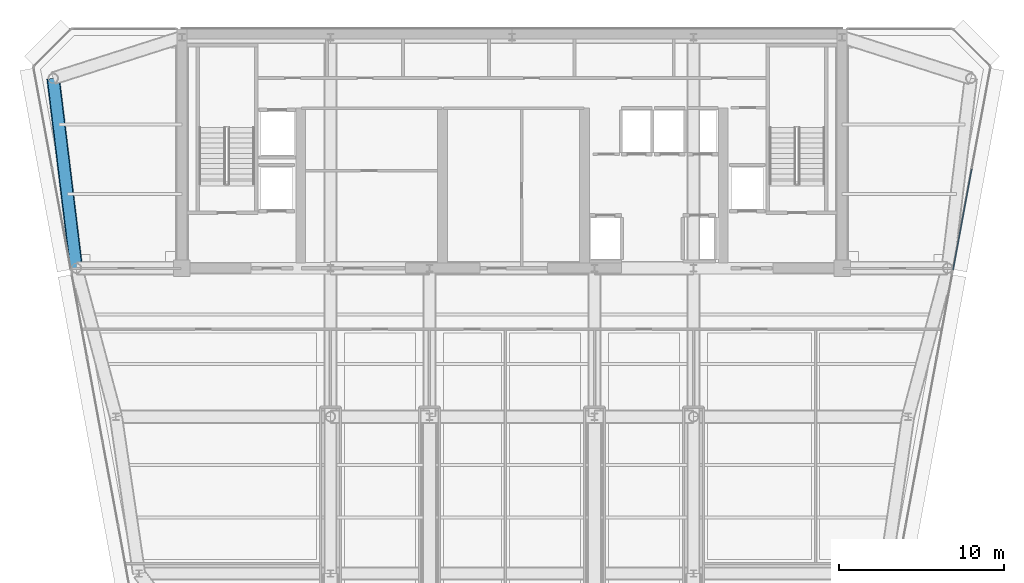
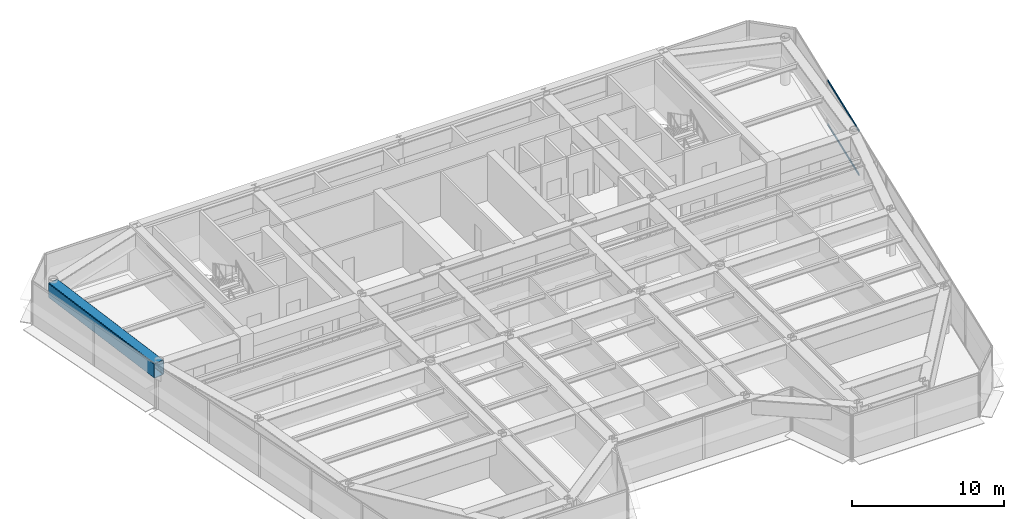
# One storey, part 7 of 17: 2 members, 1 beam, 1 element without a shape of its own.
"""IFC4 building model written with IfcOpenShell, lengths in metres."""

from ifc_helpers import new_model, si_unit, direction, frame, origin, origin_2d, place, context, subcontext, project, spatial, rectangle, hollow_rectangle, extrude, source, transform, mapped, material, layer, layer_set, material_profile, profile_set, type_object, element, aggregate, save


model = new_model("IFC4")

# Units and contexts
model_context = context("Model", 3, precision=1e-05, world=origin(), true_north=direction((0.0, 1.0)))
body_context = subcontext(model_context, "Body", "Model", "MODEL_VIEW")
ifc_project = project(units=[si_unit("LENGTHUNIT", "METRE"), si_unit("AREAUNIT", "SQUARE_METRE"), si_unit("VOLUMEUNIT", "CUBIC_METRE"), si_unit("PLANEANGLEUNIT", "RADIAN"), si_unit("MASSUNIT", "GRAM", prefix="KILO")], contexts=[model_context])

# Site, building, storey
site_placement = place(None, origin())
site = spatial("IfcSite", under=ifc_project, at=site_placement, CompositionType="ELEMENT")
building_placement = place(site_placement, origin())
building = spatial("IfcBuilding", under=site, at=building_placement, Name="Vaeldorn Concourse Tower", CompositionType="ELEMENT")
storey_placement = place(building_placement, frame((0.0, 0.0, 234.60009765625)))
storey = spatial("IfcBuildingStorey", under=building, at=storey_placement, Name="L60", CompositionType="ELEMENT", Elevation=234.60009765625)

# Beam
ifc_material_1 = material(Name="Steel S460", Category="steel")
ifc_material_profile_1 = material_profile(ifc_material_1, hollow_rectangle(XDim=0.800048828125, YDim=1.199951171875, WallThickness=0.044921875, InnerFilletRadius=0.044921875, OuterFilletRadius=0.090087890625, at=origin_2d()), Name="RHS 1200x800x45")
ifc_profile_set_1 = profile_set([ifc_material_profile_1], Name="Steel S460")
beam_type = type_object("IfcBeamType", Name="BM-TG-RHS1200", PredefinedType="BEAM", material=ifc_profile_set_1)
shared_shape_1 = source(origin(), body_context, "Body", "SweptSolid", [
    extrude(hollow_rectangle(XDim=0.800048828125, YDim=1.199951171875, WallThickness=0.044921875, InnerFilletRadius=0.044921875, OuterFilletRadius=0.090087890625, at=origin_2d()), origin(), (0.0, 0.0, 1.0), 11.5849609375),
])
beam_placement = place(storey_placement, frame((6.199951171875, 48.0, 2.97998046875), z_axis=(0.120859382899, -0.992669637677, 0.0), x_axis=(0.992669637677, 0.120859382899, 0.0)))
element("IfcBeam", 1, at=beam_placement, inside=storey, type_object=beam_type, Name="Beam BM-L60-C-NW1-C-NW2", PredefinedType="BEAM", context=body_context, shape_type="MappedRepresentation", body=[
    mapped(shared_shape_1, transform((0.0, 0.0, 0.0), scale=1.0)),
])

# Curtain wall, members
ifc_material_2 = material(Name="Anodised Bronze Aluminium", Category="aluminium")
ifc_layer = layer(ifc_material_2, 0.179931640625)
ifc_layer_set = layer_set([ifc_layer], Name="Anodised Bronze Aluminium")
curtain_wall_type = type_object("IfcCurtainWallType", Name="CW-SYS-05", PredefinedType="NOTDEFINED", material=ifc_layer_set)
curtain_wall_placement = place(storey_placement, origin())
curtain_wall = element("IfcCurtainWall", 2, at=curtain_wall_placement, inside=storey, type_object=curtain_wall_type, Name="Unitised Curtain Wall CW-L60-E07-2", PredefinedType="NOTDEFINED")
ifc_material_profile_2 = material_profile(ifc_material_2, rectangle(XDim=0.06494140625, YDim=0.14990234375, at=origin_2d()), Name="CWT 65x150")
ifc_profile_set_2 = profile_set([ifc_material_profile_2], Name="Anodised Bronze Aluminium")
member_type = type_object("IfcMemberType", Name="CWT-BRONZE-150", PredefinedType="USERDEFINED", material=ifc_profile_set_2)
shared_shape_2 = source(origin(), body_context, "Body", "SweptSolid", [
    extrude(rectangle(XDim=0.06494140625, YDim=0.14990234375, at=origin_2d()), origin(), (0.0, 0.0, 1.0), 6.183837890625),
])
member_1_placement = place(storey_placement, frame((60.726806640625, 36.410888671875, 0.032470703125), z_axis=(0.181889913007, 0.983318900228, 0.0), x_axis=(-0.983318900228, 0.181889913007, 0.0)))
member_1 = element("IfcMember", 3, at=member_1_placement, type_object=member_type, Name="CW-05 transom 1.1", ObjectType="TRANSOM", PredefinedType="USERDEFINED", context=body_context, shape_type="MappedRepresentation", body=[
    mapped(shared_shape_2, transform((0.0, 0.0, 0.0), scale=1.0)),
])
member_2_placement = place(storey_placement, frame((60.726806640625, 36.410888671875, 3.54736328125), z_axis=(0.181889913007, 0.983318900228, 0.0), x_axis=(-0.983318900228, 0.181889913007, 0.0)))
member_2 = element("IfcMember", 4, at=member_2_placement, type_object=member_type, Name="CW-05 transom 1.2", ObjectType="TRANSOM", PredefinedType="USERDEFINED", context=body_context, shape_type="MappedRepresentation", body=[
    mapped(shared_shape_2, transform((0.0, 0.0, 0.0), scale=1.0)),
])
aggregate(curtain_wall, [member_1, member_2])

save(model, "model.ifc")
